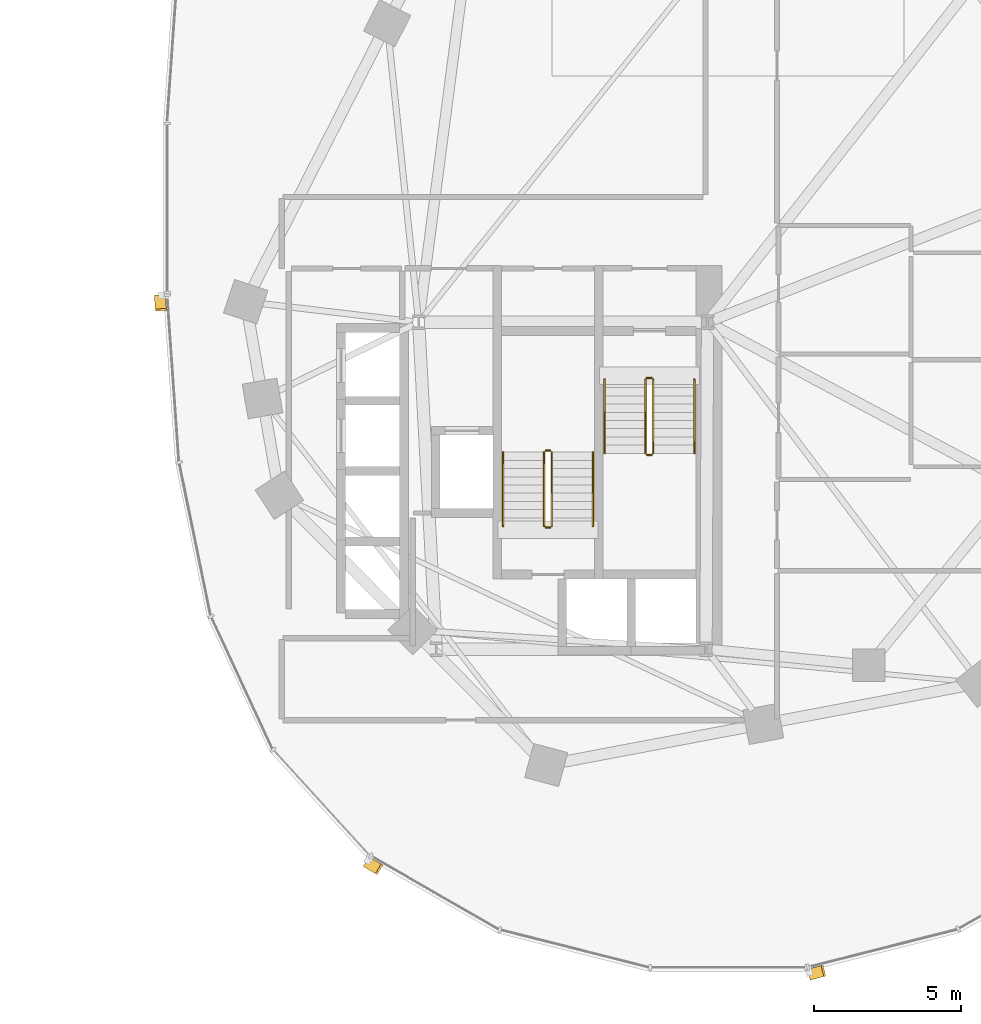
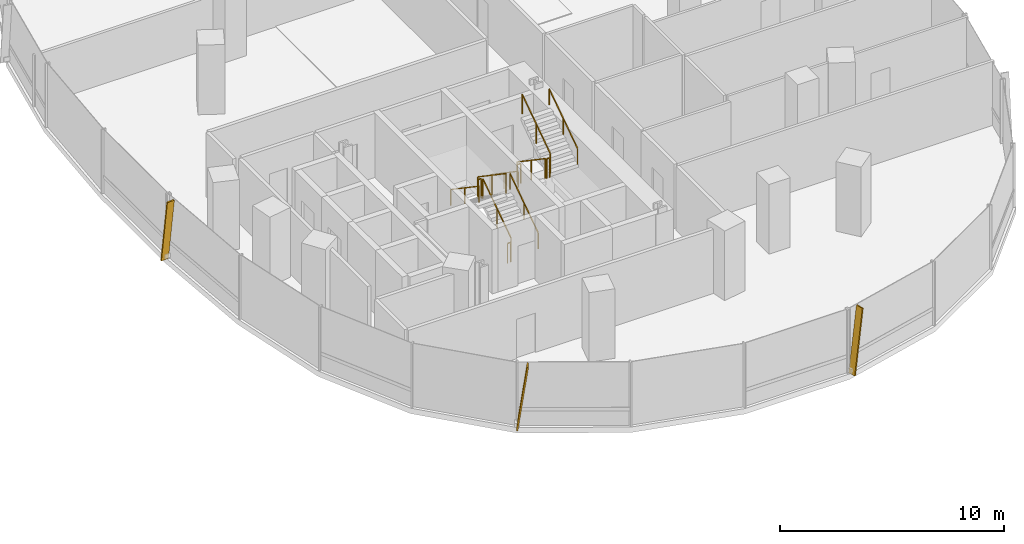
# One storey, part 20 of 21: 12 railings, 3 shading devices.
"""IFC4 building model written with IfcOpenShell, lengths in metres."""

from ifc_helpers import new_model, si_unit, direction, frame, origin, origin_2d, place, context, subcontext, project, spatial, rectangle, extrude, material, material_profile, profile_set, type_object, element, save


model = new_model("IFC4")

# Units and contexts
model_context = context("Model", 3, precision=1e-05, world=origin(), true_north=direction((0.0, 1.0)))
body_context = subcontext(model_context, "Body", "Model", "MODEL_VIEW")
ifc_project = project(units=[si_unit("LENGTHUNIT", "METRE"), si_unit("AREAUNIT", "SQUARE_METRE"), si_unit("VOLUMEUNIT", "CUBIC_METRE"), si_unit("PLANEANGLEUNIT", "RADIAN"), si_unit("MASSUNIT", "GRAM", prefix="KILO"), si_unit("THERMODYNAMICTEMPERATUREUNIT", "KELVIN"), si_unit("POWERUNIT", "WATT")], contexts=[model_context])

# Site, building, storey
site_placement = place(None, origin())
site = spatial("IfcSite", under=ifc_project, at=site_placement, CompositionType="ELEMENT")
building_placement = place(site_placement, origin())
building = spatial("IfcBuilding", under=site, at=building_placement, Name="Cundina Bronze Exchange", CompositionType="ELEMENT")
storey_placement = place(building_placement, frame((0.0, 0.0, 46.800048828125)))
storey = spatial("IfcBuildingStorey", under=building, at=storey_placement, Name="L11", CompositionType="ELEMENT", Elevation=46.800048828125)

# Railings
ifc_material_1 = material(Name="Steel ASTM A36 Painted", Category="steel")
railing_type_1 = type_object("IfcRailingType", Name="RLG-HND-900", PredefinedType="HANDRAIL", material=ifc_material_1)
railing_1_placement = place(storey_placement, frame((27.7900390625, -5.85009765625, 0.18994140625)))
element("IfcRailing", 1, at=railing_1_placement, inside=storey, type_object=railing_type_1, Name="L11 ST-E1 stair handrail 1", PredefinedType="HANDRAIL", context=body_context, shape_type="SweptSolid", body=[
    extrude(rectangle(XDim=0.048095703125, YDim=0.048095703125, at=origin_2d()), frame((0.0, 0.0, 0.8759765625), z_axis=(0.0, -0.827483756001, 0.561489655786), x_axis=(1.0, 0.0, 0.0)), (0.0, 0.0, 1.0), 3.04541015625),
    extrude(rectangle(XDim=0.0419921875, YDim=0.0419921875, at=origin_2d()), origin(), (0.0, 0.0, 1.0), 0.851806640625),
    extrude(rectangle(XDim=0.0419921875, YDim=0.0419921875, at=origin_2d()), frame((0.0, -1.260009765625, 0.85498046875)), (0.0, 0.0, 1.0), 0.851806640625),
    extrude(rectangle(XDim=0.0419921875, YDim=0.0419921875, at=origin_2d()), frame((0.0, -2.52001953125, 1.7099609375)), (0.0, 0.0, 1.0), 0.851806640625),
])
railing_2_placement = place(storey_placement, frame((30.85009765625, -8.3701171875, 2.08984375)))
element("IfcRailing", 2, at=railing_2_placement, inside=storey, type_object=railing_type_1, Name="L11 ST-E1 stair handrail 2", PredefinedType="HANDRAIL", context=body_context, shape_type="SweptSolid", body=[
    extrude(rectangle(XDim=0.048095703125, YDim=0.048095703125, at=origin_2d()), frame((0.0, 0.0, 0.8759765625), z_axis=(0.0, 0.82744650838, 0.561544544778), x_axis=(-1.0, 0.0, 0.0)), (0.0, 0.0, 1.0), 3.045654296875),
    extrude(rectangle(XDim=0.0419921875, YDim=0.0419921875, at=origin_2d()), origin(), (0.0, 0.0, 1.0), 0.851806640625),
    extrude(rectangle(XDim=0.0419921875, YDim=0.0419921875, at=origin_2d()), frame((0.0, 1.260009765625, 0.85498046875)), (0.0, 0.0, 1.0), 0.851806640625),
    extrude(rectangle(XDim=0.0419921875, YDim=0.0419921875, at=origin_2d()), frame((0.0, 2.52001953125, 1.710205078125)), (0.0, 0.0, 1.0), 0.851806640625),
])
railing_3_placement = place(storey_placement, frame((27.389892578125, -10.85009765625, 0.18994140625)))
element("IfcRailing", 3, at=railing_3_placement, inside=storey, type_object=railing_type_1, Name="L11 ST-E2 stair handrail 1", PredefinedType="HANDRAIL", context=body_context, shape_type="SweptSolid", body=[
    extrude(rectangle(XDim=0.048095703125, YDim=0.048095703125, at=origin_2d()), frame((0.0, 0.0, 0.8759765625), z_axis=(0.0, 0.827483756001, 0.561489655786), x_axis=(-1.0, 0.0, 0.0)), (0.0, 0.0, 1.0), 3.04541015625),
    extrude(rectangle(XDim=0.0419921875, YDim=0.0419921875, at=origin_2d()), origin(), (0.0, 0.0, 1.0), 0.851806640625),
    extrude(rectangle(XDim=0.0419921875, YDim=0.0419921875, at=origin_2d()), frame((0.0, 1.260009765625, 0.85498046875)), (0.0, 0.0, 1.0), 0.851806640625),
    extrude(rectangle(XDim=0.0419921875, YDim=0.0419921875, at=origin_2d()), frame((0.0, 2.52001953125, 1.7099609375)), (0.0, 0.0, 1.0), 0.851806640625),
])
railing_4_placement = place(storey_placement, frame((24.330078125, -8.330078125, 2.08984375)))
element("IfcRailing", 4, at=railing_4_placement, inside=storey, type_object=railing_type_1, Name="L11 ST-E2 stair handrail 2", PredefinedType="HANDRAIL", context=body_context, shape_type="SweptSolid", body=[
    extrude(rectangle(XDim=0.048095703125, YDim=0.048095703125, at=origin_2d()), frame((0.0, 0.0, 0.8759765625), z_axis=(0.0, -0.82744650838, 0.561544544778), x_axis=(1.0, 0.0, 0.0)), (0.0, 0.0, 1.0), 3.045654296875),
    extrude(rectangle(XDim=0.0419921875, YDim=0.0419921875, at=origin_2d()), origin(), (0.0, 0.0, 1.0), 0.851806640625),
    extrude(rectangle(XDim=0.0419921875, YDim=0.0419921875, at=origin_2d()), frame((0.0, -1.260009765625, 0.85498046875)), (0.0, 0.0, 1.0), 0.851806640625),
    extrude(rectangle(XDim=0.0419921875, YDim=0.0419921875, at=origin_2d()), frame((0.0, -2.52001953125, 1.710205078125)), (0.0, 0.0, 1.0), 0.851806640625),
])
railing_type_2 = type_object("IfcRailingType", Name="RLG-STG-1100", PredefinedType="GUARDRAIL", material=ifc_material_1)
railing_5_placement = place(storey_placement, frame((29.18994140625, -5.85009765625, 0.18994140625)))
element("IfcRailing", 5, at=railing_5_placement, inside=storey, type_object=railing_type_2, Name="L11 ST-E1 stair guard 1", PredefinedType="GUARDRAIL", context=body_context, shape_type="SweptSolid", body=[
    extrude(rectangle(XDim=0.048095703125, YDim=0.048095703125, at=origin_2d()), frame((0.0, 0.0, 1.076171875), z_axis=(0.0, -0.827483756001, 0.561489655786), x_axis=(1.0, 0.0, 0.0)), (0.0, 0.0, 1.0), 3.04541015625),
    extrude(rectangle(XDim=0.0419921875, YDim=0.0419921875, at=origin_2d()), origin(), (0.0, 0.0, 1.0), 1.052001953125),
    extrude(rectangle(XDim=0.0419921875, YDim=0.0419921875, at=origin_2d()), frame((0.0, -1.260009765625, 0.85498046875)), (0.0, 0.0, 1.0), 1.052001953125),
    extrude(rectangle(XDim=0.0419921875, YDim=0.0419921875, at=origin_2d()), frame((0.0, -2.52001953125, 1.7099609375)), (0.0, 0.0, 1.0), 1.052001953125),
])
railing_6_placement = place(storey_placement, frame((29.239990234375, -8.419921875, 1.89990234375)))
element("IfcRailing", 6, at=railing_6_placement, inside=storey, type_object=railing_type_2, Name="L11 ST-E1 stair guard 2", PredefinedType="GUARDRAIL", context=body_context, shape_type="SweptSolid", body=[
    extrude(rectangle(XDim=0.048095703125, YDim=0.048095703125, at=origin_2d()), frame((0.0, 0.0, 1.076171875), z_axis=(1.0, 0.0, 0.0), x_axis=(0.0, 1.0, 0.0)), (0.0, 0.0, 1.0), 0.159912109375),
    extrude(rectangle(XDim=0.0419921875, YDim=0.0419921875, at=origin_2d()), origin(), (0.0, 0.0, 1.0), 1.052001953125),
    extrude(rectangle(XDim=0.0419921875, YDim=0.0419921875, at=origin_2d()), frame((0.159912109375, 0.0, 0.0)), (0.0, 0.0, 1.0), 1.052001953125),
])
railing_7_placement = place(storey_placement, frame((29.449951171875, -8.3701171875, 2.08984375)))
element("IfcRailing", 7, at=railing_7_placement, inside=storey, type_object=railing_type_2, Name="L11 ST-E1 stair guard 3", PredefinedType="GUARDRAIL", context=body_context, shape_type="SweptSolid", body=[
    extrude(rectangle(XDim=0.048095703125, YDim=0.048095703125, at=origin_2d()), frame((0.0, 0.0, 1.076171875), z_axis=(0.0, 0.82744650838, 0.561544544778), x_axis=(-1.0, 0.0, 0.0)), (0.0, 0.0, 1.0), 3.045654296875),
    extrude(rectangle(XDim=0.0419921875, YDim=0.0419921875, at=origin_2d()), origin(), (0.0, 0.0, 1.0), 1.052001953125),
    extrude(rectangle(XDim=0.0419921875, YDim=0.0419921875, at=origin_2d()), frame((0.0, 1.260009765625, 0.85498046875)), (0.0, 0.0, 1.0), 1.052001953125),
    extrude(rectangle(XDim=0.0419921875, YDim=0.0419921875, at=origin_2d()), frame((0.0, 2.52001953125, 1.710205078125)), (0.0, 0.0, 1.0), 1.052001953125),
])
railing_8_placement = place(storey_placement, frame((29.239990234375, -5.800048828125, 0.0)))
element("IfcRailing", 8, at=railing_8_placement, inside=storey, type_object=railing_type_2, Name="L11 ST-E1 stair guard 4", PredefinedType="GUARDRAIL", context=body_context, shape_type="SweptSolid", body=[
    extrude(rectangle(XDim=0.048095703125, YDim=0.048095703125, at=origin_2d()), frame((0.0, 0.0, 1.076171875), z_axis=(1.0, 0.0, 0.0), x_axis=(0.0, 1.0, 0.0)), (0.0, 0.0, 1.0), 0.159912109375),
    extrude(rectangle(XDim=0.0419921875, YDim=0.0419921875, at=origin_2d()), origin(), (0.0, 0.0, 1.0), 1.052001953125),
    extrude(rectangle(XDim=0.0419921875, YDim=0.0419921875, at=origin_2d()), frame((0.159912109375, 0.0, 0.0)), (0.0, 0.0, 1.0), 1.052001953125),
])
railing_9_placement = place(storey_placement, frame((25.989990234375, -10.85009765625, 0.18994140625)))
element("IfcRailing", 9, at=railing_9_placement, inside=storey, type_object=railing_type_2, Name="L11 ST-E2 stair guard 1", PredefinedType="GUARDRAIL", context=body_context, shape_type="SweptSolid", body=[
    extrude(rectangle(XDim=0.048095703125, YDim=0.048095703125, at=origin_2d()), frame((0.0, 0.0, 1.076171875), z_axis=(0.0, 0.827483756001, 0.561489655786), x_axis=(-1.0, 0.0, 0.0)), (0.0, 0.0, 1.0), 3.04541015625),
    extrude(rectangle(XDim=0.0419921875, YDim=0.0419921875, at=origin_2d()), origin(), (0.0, 0.0, 1.0), 1.052001953125),
    extrude(rectangle(XDim=0.0419921875, YDim=0.0419921875, at=origin_2d()), frame((0.0, 1.260009765625, 0.85498046875)), (0.0, 0.0, 1.0), 1.052001953125),
    extrude(rectangle(XDim=0.0419921875, YDim=0.0419921875, at=origin_2d()), frame((0.0, 2.52001953125, 1.7099609375)), (0.0, 0.0, 1.0), 1.052001953125),
])
railing_10_placement = place(storey_placement, frame((25.93994140625, -8.280029296875, 1.89990234375)))
element("IfcRailing", 10, at=railing_10_placement, inside=storey, type_object=railing_type_2, Name="L11 ST-E2 stair guard 2", PredefinedType="GUARDRAIL", context=body_context, shape_type="SweptSolid", body=[
    extrude(rectangle(XDim=0.048095703125, YDim=0.048095703125, at=origin_2d()), frame((0.0, 0.0, 1.076171875), z_axis=(-1.0, 0.0, 0.0), x_axis=(0.0, -1.0, 0.0)), (0.0, 0.0, 1.0), 0.159912109375),
    extrude(rectangle(XDim=0.0419921875, YDim=0.0419921875, at=origin_2d()), origin(), (0.0, 0.0, 1.0), 1.052001953125),
    extrude(rectangle(XDim=0.0419921875, YDim=0.0419921875, at=origin_2d()), frame((-0.159912109375, 0.0, 0.0)), (0.0, 0.0, 1.0), 1.052001953125),
])
railing_11_placement = place(storey_placement, frame((25.72998046875, -8.330078125, 2.08984375)))
element("IfcRailing", 11, at=railing_11_placement, inside=storey, type_object=railing_type_2, Name="L11 ST-E2 stair guard 3", PredefinedType="GUARDRAIL", context=body_context, shape_type="SweptSolid", body=[
    extrude(rectangle(XDim=0.048095703125, YDim=0.048095703125, at=origin_2d()), frame((0.0, 0.0, 1.076171875), z_axis=(0.0, -0.82744650838, 0.561544544778), x_axis=(1.0, 0.0, 0.0)), (0.0, 0.0, 1.0), 3.045654296875),
    extrude(rectangle(XDim=0.0419921875, YDim=0.0419921875, at=origin_2d()), origin(), (0.0, 0.0, 1.0), 1.052001953125),
    extrude(rectangle(XDim=0.0419921875, YDim=0.0419921875, at=origin_2d()), frame((0.0, -1.260009765625, 0.85498046875)), (0.0, 0.0, 1.0), 1.052001953125),
    extrude(rectangle(XDim=0.0419921875, YDim=0.0419921875, at=origin_2d()), frame((0.0, -2.52001953125, 1.710205078125)), (0.0, 0.0, 1.0), 1.052001953125),
])
railing_12_placement = place(storey_placement, frame((25.93994140625, -10.89990234375, 0.0)))
element("IfcRailing", 12, at=railing_12_placement, inside=storey, type_object=railing_type_2, Name="L11 ST-E2 stair guard 4", PredefinedType="GUARDRAIL", context=body_context, shape_type="SweptSolid", body=[
    extrude(rectangle(XDim=0.048095703125, YDim=0.048095703125, at=origin_2d()), frame((0.0, 0.0, 1.076171875), z_axis=(-1.0, 0.0, 0.0), x_axis=(0.0, -1.0, 0.0)), (0.0, 0.0, 1.0), 0.159912109375),
    extrude(rectangle(XDim=0.0419921875, YDim=0.0419921875, at=origin_2d()), origin(), (0.0, 0.0, 1.0), 1.052001953125),
    extrude(rectangle(XDim=0.0419921875, YDim=0.0419921875, at=origin_2d()), frame((-0.159912109375, 0.0, 0.0)), (0.0, 0.0, 1.0), 1.052001953125),
])

# Shading devices
ifc_material_2 = material(Name="Anodised Bronze Aluminium 6063-T6", Category="aluminium")
ifc_material_profile = material_profile(ifc_material_2, rectangle(XDim=0.070068359375, YDim=0.3798828125, at=origin_2d()), Name="FIN70X380", Category="aluminium")
ifc_profile_set = profile_set([ifc_material_profile], Name="Anodised Bronze Aluminium 6063-T6")
shading_device_type = type_object("IfcShadingDeviceType", Name="SHD-FIN-BRZ380", PredefinedType="USERDEFINED", material=ifc_profile_set)
for number, where, z_axis, x_axis, name in (
    (13, (12.6259765625, -2.993896484375, 0.02001953125), (0.009645159174, -0.137059109714, 0.990515911709), (-0.06953288269, 0.988072340253, 0.137398066402), "L11 Diagonal Bronze Solar Fin 1"),
    (14, (19.685791015625, -22.314208984375, 0.02001953125), (0.119166378275, -0.06842456559, 0.990513731915), (-0.85898178632, 0.493221799887, 0.137413779831), "L11 Diagonal Bronze Solar Fin 5"),
    (15, (34.787353515625, -26.138427734375, 0.02001953125), (0.133214830938, 0.033688115694, 0.990514472221), (-0.960284642503, -0.242842181368, 0.137408443412), "L11 Diagonal Bronze Solar Fin 1"),
):
    element("IfcShadingDevice", number, at=place(storey_placement, frame(where, z_axis=z_axis, x_axis=x_axis)), inside=storey, type_object=shading_device_type, Name=name, ObjectType="FIN", PredefinedType="USERDEFINED", context=body_context, shape_type="SweptSolid", body=[
        extrude(rectangle(XDim=0.070068359375, YDim=0.3798828125, at=origin_2d()), origin(), (0.0, 0.0, 1.0), 3.4931640625),
    ])

save(model, "model.ifc")
